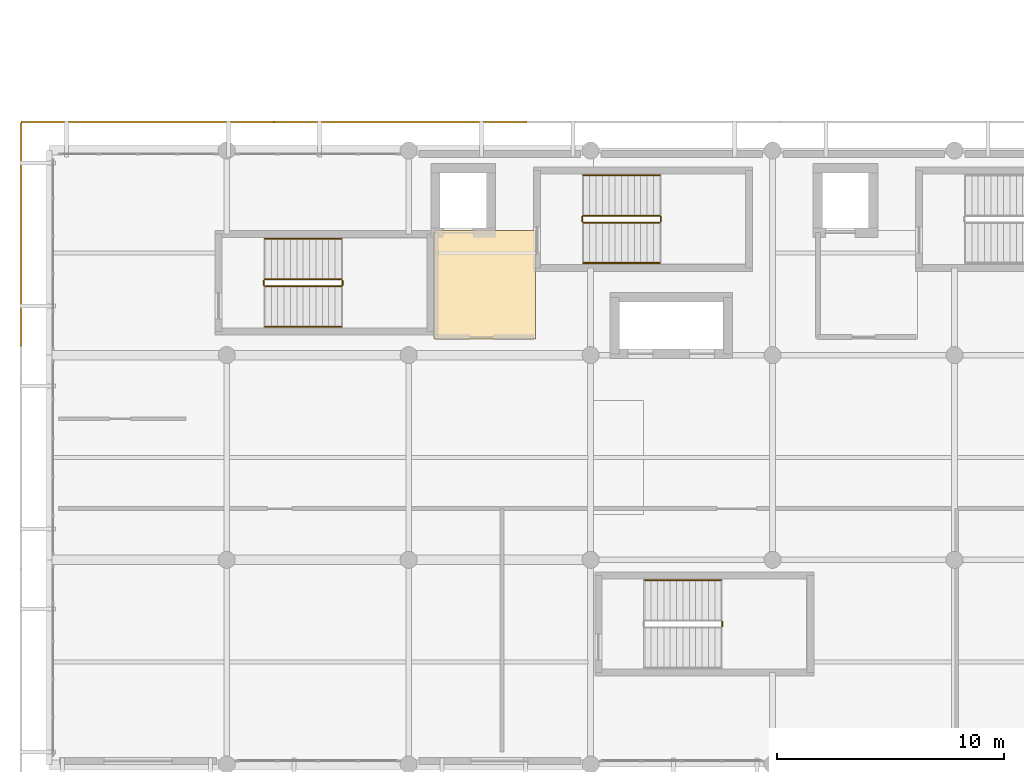
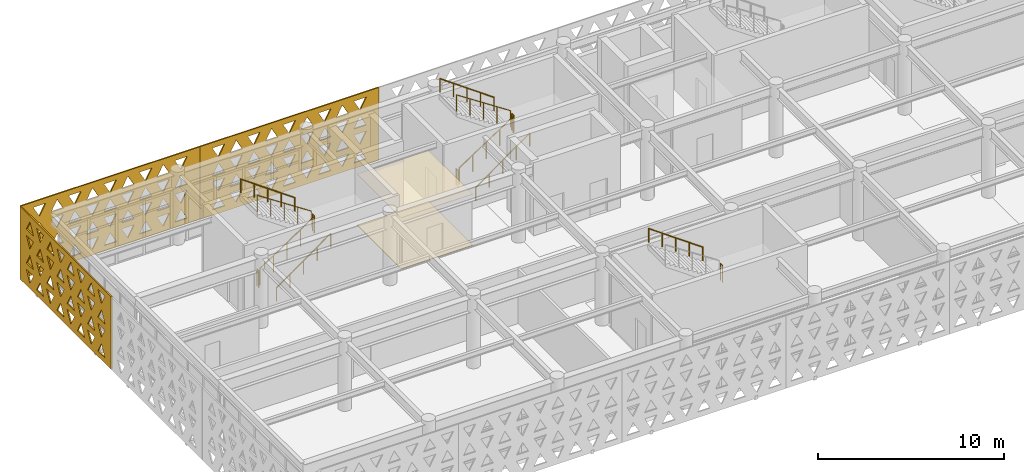
# One storey, part 27 of 33: 14 railings, 5 coverings.
"""IFC4 building model written with IfcOpenShell, lengths in metres."""

from ifc_helpers import new_model, si_unit, direction, frame, origin, origin_2d, place, context, subcontext, project, spatial, polyline, circle, outline, extrude, material, layer, layer_set, type_object, element, save


model = new_model("IFC4")

# Units and contexts
model_context = context("Model", 3, precision=1e-05, world=origin(), true_north=direction((0.0, 1.0)))
body_context = subcontext(model_context, "Body", "Model", "MODEL_VIEW")
ifc_project = project(units=[si_unit("LENGTHUNIT", "METRE"), si_unit("AREAUNIT", "SQUARE_METRE"), si_unit("VOLUMEUNIT", "CUBIC_METRE"), si_unit("PLANEANGLEUNIT", "RADIAN"), si_unit("MASSUNIT", "GRAM", prefix="KILO")], contexts=[model_context])

# Site, building, storey
site_placement = place(None, origin())
site = spatial("IfcSite", under=ifc_project, at=site_placement, CompositionType="ELEMENT")
building_placement = place(site_placement, origin())
building = spatial("IfcBuilding", under=site, at=building_placement, Name="Tlacozan Convention Centre", CompositionType="ELEMENT")
storey_placement = place(building_placement, frame((0.0, 0.0, 16.199951171875)))
storey = spatial("IfcBuildingStorey", under=building, at=storey_placement, Name="L03", CompositionType="ELEMENT", Elevation=16.199951171875)

# Coverings
ifc_material_1 = material(Name="Perforated Acoustic Mineral Fibre Ceiling")
ifc_layer_1 = layer(ifc_material_1, 0.02490234375)
ifc_layer_set_1 = layer_set([ifc_layer_1], Name="Perforated Acoustic Mineral Fibre Ceiling")
covering_type_1 = type_object("IfcCoveringType", Name="Acoustic Mineral Fibre Ceiling 25", PredefinedType="CEILING", material=ifc_layer_set_1)
covering_1_placement = place(storey_placement, frame((0.0, 0.0, 3.35009765625)))
element("IfcCovering", 1, at=covering_1_placement, inside=storey, type_object=covering_type_1, Name="L03 Acoustic Ceiling L03-FFL-1", PredefinedType="CEILING", context=body_context, shape_type="SweptSolid", body=[
    extrude(outline(polyline([(17.1201171875, 18.719970703125), (21.580078125, 18.719970703125), (21.580078125, 23.47998046875), (17.1201171875, 23.47998046875), (17.1201171875, 18.719970703125)])), origin(), (0.0, 0.0, 1.0), 0.02490234375),
])
ifc_material_2 = material(Name="Polished Basalt Terrazzo Flooring", Category="masonry")
ifc_layer_2 = layer(ifc_material_2, 0.02001953125)
ifc_layer_set_2 = layer_set([ifc_layer_2], Name="Polished Basalt Terrazzo Flooring")
covering_type_2 = type_object("IfcCoveringType", Name="Polished Basalt Terrazzo Flooring 20", PredefinedType="FLOORING", material=ifc_layer_set_2)
covering_2_placement = place(storey_placement, origin())
element("IfcCovering", 2, at=covering_2_placement, inside=storey, type_object=covering_type_2, Name="L03 Terrazzo Flooring L03-FFL-1", PredefinedType="FLOORING", context=body_context, shape_type="SweptSolid", body=[
    extrude(outline(polyline([(17.1201171875, 18.719970703125), (21.580078125, 18.719970703125), (21.580078125, 23.47998046875), (17.1201171875, 23.47998046875), (17.1201171875, 18.719970703125)])), origin(), (0.0, 0.0, 1.0), 0.02001953125),
])

# Railings
ifc_material_3 = material(Name="Architectural Painted Galvanised Steel Railing", Category="steel")
railing_type_1 = type_object("IfcRailingType", Name="Stair Wall Handrail 900", PredefinedType="HANDRAIL", material=ifc_material_3)
railing_1_placement = place(storey_placement, frame((23.679931640625, 22.050048828125, 0.1845703125)))
element("IfcRailing", 3, at=railing_1_placement, inside=storey, type_object=railing_type_1, Name="L03 ST-01 stair handrail 1", PredefinedType="HANDRAIL", context=body_context, shape_type="SweptSolid", body=[
    extrude(circle(Radius=0.02392578125, at=origin_2d()), frame((0.0, 0.0, 0.8759765625), z_axis=(0.813725481382, 0.0, 0.581249379312), x_axis=(0.0, 1.0, 0.0)), (0.0, 0.0, 1.0), 4.12939453125),
    extrude(circle(Radius=0.02099609375, at=origin_2d()), origin(), (0.0, 0.0, 1.0), 0.851806640625),
    extrude(circle(Radius=0.02099609375, at=origin_2d()), frame((0.840087890625, 0.0, 0.60009765625)), (0.0, 0.0, 1.0), 0.851806640625),
    extrude(circle(Radius=0.02099609375, at=origin_2d()), frame((1.68017578125, 0.0, 1.2001953125)), (0.0, 0.0, 1.0), 0.851806640625),
    extrude(circle(Radius=0.02099609375, at=origin_2d()), frame((2.52001953125, 0.0, 1.800048828125)), (0.0, 0.0, 1.0), 0.851806640625),
    extrude(circle(Radius=0.02099609375, at=origin_2d()), frame((3.360107421875, 0.0, 2.400146484375)), (0.0, 0.0, 1.0), 0.851806640625),
])
railing_2_placement = place(storey_placement, frame((27.0400390625, 25.909912109375, 2.584716796875)))
element("IfcRailing", 4, at=railing_2_placement, inside=storey, type_object=railing_type_1, Name="L03 ST-01 stair handrail 2", PredefinedType="HANDRAIL", context=body_context, shape_type="SweptSolid", body=[
    extrude(circle(Radius=0.02392578125, at=origin_2d()), frame((0.0, 0.0, 0.8759765625), z_axis=(-0.813753445783, 0.0, 0.581210228297), x_axis=(0.0, -1.0, 0.0)), (0.0, 0.0, 1.0), 4.129150390625),
    extrude(circle(Radius=0.02099609375, at=origin_2d()), origin(), (0.0, 0.0, 1.0), 0.851806640625),
    extrude(circle(Radius=0.02099609375, at=origin_2d()), frame((-0.840087890625, 0.0, 0.60009765625)), (0.0, 0.0, 1.0), 0.851806640625),
    extrude(circle(Radius=0.02099609375, at=origin_2d()), frame((-1.68017578125, 0.0, 1.199951171875)), (0.0, 0.0, 1.0), 0.851806640625),
    extrude(circle(Radius=0.02099609375, at=origin_2d()), frame((-2.52001953125, 0.0, 1.7998046875)), (0.0, 0.0, 1.0), 0.851806640625),
    extrude(circle(Radius=0.02099609375, at=origin_2d()), frame((-3.360107421875, 0.0, 2.39990234375)), (0.0, 0.0, 1.0), 0.851806640625),
])
railing_3_placement = place(storey_placement, frame((9.679931640625, 19.25, 0.1845703125)))
element("IfcRailing", 5, at=railing_3_placement, inside=storey, type_object=railing_type_1, Name="L03 ST-13 stair handrail 1", PredefinedType="HANDRAIL", context=body_context, shape_type="SweptSolid", body=[
    extrude(circle(Radius=0.02392578125, at=origin_2d()), frame((0.0, 0.0, 0.8759765625), z_axis=(0.813725481382, 0.0, 0.581249379312), x_axis=(0.0, 1.0, 0.0)), (0.0, 0.0, 1.0), 4.12939453125),
    extrude(circle(Radius=0.02099609375, at=origin_2d()), origin(), (0.0, 0.0, 1.0), 0.851806640625),
    extrude(circle(Radius=0.02099609375, at=origin_2d()), frame((0.840087890625, 0.0, 0.60009765625)), (0.0, 0.0, 1.0), 0.851806640625),
    extrude(circle(Radius=0.02099609375, at=origin_2d()), frame((1.68017578125, 0.0, 1.2001953125)), (0.0, 0.0, 1.0), 0.851806640625),
    extrude(circle(Radius=0.02099609375, at=origin_2d()), frame((2.52001953125, 0.0, 1.800048828125)), (0.0, 0.0, 1.0), 0.851806640625),
    extrude(circle(Radius=0.02099609375, at=origin_2d()), frame((3.360107421875, 0.0, 2.400146484375)), (0.0, 0.0, 1.0), 0.851806640625),
])
for number, where, name in (
    (6, (13.0400390625, 23.110107421875, 2.584716796875), "L03 ST-13 stair handrail 2"),
    (7, (29.739990234375, 8.110107421875, 2.584716796875), "L03 ST-16 stair handrail 2"),
):
    element("IfcRailing", number, at=place(storey_placement, frame(where)), inside=storey, type_object=railing_type_1, Name=name, PredefinedType="HANDRAIL", context=body_context, shape_type="SweptSolid", body=[
        extrude(circle(Radius=0.02392578125, at=origin_2d()), frame((0.0, 0.0, 0.8759765625), z_axis=(-0.813753445783, 0.0, 0.581210228297), x_axis=(0.0, -1.0, 0.0)), (0.0, 0.0, 1.0), 4.129150390625),
        extrude(circle(Radius=0.02099609375, at=origin_2d()), origin(), (0.0, 0.0, 1.0), 0.851806640625),
        extrude(circle(Radius=0.02099609375, at=origin_2d()), frame((-0.840087890625, 0.0, 0.60009765625)), (0.0, 0.0, 1.0), 0.851806640625),
        extrude(circle(Radius=0.02099609375, at=origin_2d()), frame((-1.68017578125, 0.0, 1.199951171875)), (0.0, 0.0, 1.0), 0.851806640625),
        extrude(circle(Radius=0.02099609375, at=origin_2d()), frame((-2.52001953125, 0.0, 1.7998046875)), (0.0, 0.0, 1.0), 0.851806640625),
        extrude(circle(Radius=0.02099609375, at=origin_2d()), frame((-3.360107421875, 0.0, 2.39990234375)), (0.0, 0.0, 1.0), 0.851806640625),
    ])
railing_type_2 = type_object("IfcRailingType", Name="Stair Well Guardrail 1100", PredefinedType="GUARDRAIL", material=ifc_material_3)
railing_4_placement = place(storey_placement, frame((23.679931640625, 23.830078125, 0.1845703125)))
element("IfcRailing", 8, at=railing_4_placement, inside=storey, type_object=railing_type_2, Name="L03 ST-01 stair guard 1", PredefinedType="GUARDRAIL", context=body_context, shape_type="SweptSolid", body=[
    extrude(circle(Radius=0.02392578125, at=origin_2d()), frame((0.0, 0.0, 1.076171875), z_axis=(0.834848600103, 0.0, 0.550479622607), x_axis=(0.0, 1.0, 0.0)), (0.0, 0.0, 1.0), 4.02490234375),
    extrude(circle(Radius=0.02099609375, at=origin_2d()), origin(), (0.0, 0.0, 1.0), 1.052001953125),
    extrude(circle(Radius=0.02099609375, at=origin_2d()), frame((0.840087890625, 0.0, 0.553955078125)), (0.0, 0.0, 1.0), 1.052001953125),
    extrude(circle(Radius=0.02099609375, at=origin_2d()), frame((1.68017578125, 0.0, 1.10791015625)), (0.0, 0.0, 1.0), 1.052001953125),
    extrude(circle(Radius=0.02099609375, at=origin_2d()), frame((2.52001953125, 0.0, 1.66162109375)), (0.0, 0.0, 1.0), 1.052001953125),
    extrude(circle(Radius=0.02099609375, at=origin_2d()), frame((3.360107421875, 0.0, 2.215576171875)), (0.0, 0.0, 1.0), 1.052001953125),
])
railing_5_placement = place(storey_placement, frame((27.090087890625, 23.8798828125, 2.400146484375)))
element("IfcRailing", 9, at=railing_5_placement, inside=storey, type_object=railing_type_2, Name="L03 ST-01 stair guard 2", PredefinedType="GUARDRAIL", context=body_context, shape_type="SweptSolid", body=[
    extrude(circle(Radius=0.02392578125, at=origin_2d()), frame((0.0, 0.0, 1.076171875), z_axis=(0.0, 1.0, 0.0), x_axis=(-1.0, 0.0, 0.0)), (0.0, 0.0, 1.0), 0.2001953125),
    extrude(circle(Radius=0.02099609375, at=origin_2d()), origin(), (0.0, 0.0, 1.0), 1.052001953125),
    extrude(circle(Radius=0.02099609375, at=origin_2d()), frame((0.0, 0.2001953125, 0.0)), (0.0, 0.0, 1.0), 1.052001953125),
])
railing_6_placement = place(storey_placement, frame((27.0400390625, 24.1298828125, 2.584716796875)))
element("IfcRailing", 10, at=railing_6_placement, inside=storey, type_object=railing_type_2, Name="L03 ST-01 stair guard 3", PredefinedType="GUARDRAIL", context=body_context, shape_type="SweptSolid", body=[
    extrude(circle(Radius=0.02392578125, at=origin_2d()), frame((0.0, 0.0, 1.076171875), z_axis=(-0.834876476806, 0.0, 0.550437342915), x_axis=(0.0, -1.0, 0.0)), (0.0, 0.0, 1.0), 4.024658203125),
    extrude(circle(Radius=0.02099609375, at=origin_2d()), origin(), (0.0, 0.0, 1.0), 1.052001953125),
    extrude(circle(Radius=0.02099609375, at=origin_2d()), frame((-0.840087890625, 0.0, 0.5537109375)), (0.0, 0.0, 1.0), 1.052001953125),
    extrude(circle(Radius=0.02099609375, at=origin_2d()), frame((-1.68017578125, 0.0, 1.107666015625)), (0.0, 0.0, 1.0), 1.052001953125),
    extrude(circle(Radius=0.02099609375, at=origin_2d()), frame((-2.52001953125, 0.0, 1.66162109375)), (0.0, 0.0, 1.0), 1.052001953125),
    extrude(circle(Radius=0.02099609375, at=origin_2d()), frame((-3.360107421875, 0.0, 2.21533203125)), (0.0, 0.0, 1.0), 1.052001953125),
])
railing_7_placement = place(storey_placement, frame((23.6298828125, 23.8798828125, 0.0)))
element("IfcRailing", 11, at=railing_7_placement, inside=storey, type_object=railing_type_2, Name="L03 ST-01 stair guard 4", PredefinedType="GUARDRAIL", context=body_context, shape_type="SweptSolid", body=[
    extrude(circle(Radius=0.02392578125, at=origin_2d()), frame((0.0, 0.0, 1.076171875), z_axis=(0.0, 1.0, 0.0), x_axis=(-1.0, 0.0, 0.0)), (0.0, 0.0, 1.0), 0.2001953125),
    extrude(circle(Radius=0.02099609375, at=origin_2d()), origin(), (0.0, 0.0, 1.0), 1.052001953125),
    extrude(circle(Radius=0.02099609375, at=origin_2d()), frame((0.0, 0.2001953125, 0.0)), (0.0, 0.0, 1.0), 1.052001953125),
])
railing_8_placement = place(storey_placement, frame((9.679931640625, 21.030029296875, 0.1845703125)))
element("IfcRailing", 12, at=railing_8_placement, inside=storey, type_object=railing_type_2, Name="L03 ST-13 stair guard 1", PredefinedType="GUARDRAIL", context=body_context, shape_type="SweptSolid", body=[
    extrude(circle(Radius=0.02392578125, at=origin_2d()), frame((0.0, 0.0, 1.076171875), z_axis=(0.834848600103, 0.0, 0.550479622607), x_axis=(0.0, 1.0, 0.0)), (0.0, 0.0, 1.0), 4.02490234375),
    extrude(circle(Radius=0.02099609375, at=origin_2d()), origin(), (0.0, 0.0, 1.0), 1.052001953125),
    extrude(circle(Radius=0.02099609375, at=origin_2d()), frame((0.840087890625, 0.0, 0.553955078125)), (0.0, 0.0, 1.0), 1.052001953125),
    extrude(circle(Radius=0.02099609375, at=origin_2d()), frame((1.68017578125, 0.0, 1.10791015625)), (0.0, 0.0, 1.0), 1.052001953125),
    extrude(circle(Radius=0.02099609375, at=origin_2d()), frame((2.52001953125, 0.0, 1.66162109375)), (0.0, 0.0, 1.0), 1.052001953125),
    extrude(circle(Radius=0.02099609375, at=origin_2d()), frame((3.360107421875, 0.0, 2.215576171875)), (0.0, 0.0, 1.0), 1.052001953125),
])
railing_9_placement = place(storey_placement, frame((13.090087890625, 21.080078125, 2.400146484375)))
element("IfcRailing", 13, at=railing_9_placement, inside=storey, type_object=railing_type_2, Name="L03 ST-13 stair guard 2", PredefinedType="GUARDRAIL", context=body_context, shape_type="SweptSolid", body=[
    extrude(circle(Radius=0.02392578125, at=origin_2d()), frame((0.0, 0.0, 1.076171875), z_axis=(0.0, 1.0, 0.0), x_axis=(-1.0, 0.0, 0.0)), (0.0, 0.0, 1.0), 0.199951171875),
    extrude(circle(Radius=0.02099609375, at=origin_2d()), origin(), (0.0, 0.0, 1.0), 1.052001953125),
    extrude(circle(Radius=0.02099609375, at=origin_2d()), frame((0.0, 0.199951171875, 0.0)), (0.0, 0.0, 1.0), 1.052001953125),
])
railing_10_placement = place(storey_placement, frame((13.0400390625, 21.330078125, 2.584716796875)))
element("IfcRailing", 14, at=railing_10_placement, inside=storey, type_object=railing_type_2, Name="L03 ST-13 stair guard 3", PredefinedType="GUARDRAIL", context=body_context, shape_type="SweptSolid", body=[
    extrude(circle(Radius=0.02392578125, at=origin_2d()), frame((0.0, 0.0, 1.076171875), z_axis=(-0.834876476806, 0.0, 0.550437342915), x_axis=(0.0, -1.0, 0.0)), (0.0, 0.0, 1.0), 4.024658203125),
    extrude(circle(Radius=0.02099609375, at=origin_2d()), origin(), (0.0, 0.0, 1.0), 1.052001953125),
    extrude(circle(Radius=0.02099609375, at=origin_2d()), frame((-0.840087890625, 0.0, 0.5537109375)), (0.0, 0.0, 1.0), 1.052001953125),
    extrude(circle(Radius=0.02099609375, at=origin_2d()), frame((-1.68017578125, 0.0, 1.107666015625)), (0.0, 0.0, 1.0), 1.052001953125),
    extrude(circle(Radius=0.02099609375, at=origin_2d()), frame((-2.52001953125, 0.0, 1.66162109375)), (0.0, 0.0, 1.0), 1.052001953125),
    extrude(circle(Radius=0.02099609375, at=origin_2d()), frame((-3.360107421875, 0.0, 2.21533203125)), (0.0, 0.0, 1.0), 1.052001953125),
])
for number, where, name in (
    (15, (9.6298828125, 21.080078125, 0.0), "L03 ST-13 stair guard 4"),
    (16, (29.7900390625, 6.080078125, 2.400146484375), "L03 ST-16 stair guard 2"),
):
    element("IfcRailing", number, at=place(storey_placement, frame(where)), inside=storey, type_object=railing_type_2, Name=name, PredefinedType="GUARDRAIL", context=body_context, shape_type="SweptSolid", body=[
        extrude(circle(Radius=0.02392578125, at=origin_2d()), frame((0.0, 0.0, 1.076171875), z_axis=(0.0, 1.0, 0.0), x_axis=(-1.0, 0.0, 0.0)), (0.0, 0.0, 1.0), 0.199951171875),
        extrude(circle(Radius=0.02099609375, at=origin_2d()), origin(), (0.0, 0.0, 1.0), 1.052001953125),
        extrude(circle(Radius=0.02099609375, at=origin_2d()), frame((0.0, 0.199951171875, 0.0)), (0.0, 0.0, 1.0), 1.052001953125),
    ])

# Coverings
ifc_material_4 = material(Name="Toluca Fired Terracotta Masonry Solar Screen", Category="masonry")
ifc_layer_3 = layer(ifc_material_4, 0.080078125)
ifc_layer_set_3 = layer_set([ifc_layer_3], Name="Toluca Fired Terracotta Masonry Solar Screen")
covering_type_3 = type_object("IfcCoveringType", Name="Terracotta Triangle Solar Screen 80", PredefinedType="USERDEFINED", material=ifc_layer_set_3)
covering_3_placement = place(storey_placement, frame((-1.050048828125, 18.404296875, -0.030029296875), z_axis=(0.0, 0.0, 1.0), x_axis=(0.0, 1.0, 0.0)))
element("IfcCovering", 17, at=covering_3_placement, inside=storey, type_object=covering_type_3, Name="L03 Terracotta Triangle Screen 65", ObjectType="SCREEN", PredefinedType="USERDEFINED", context=body_context, shape_type="SweptSolid", body=[
    extrude(outline(polyline([(0.0, 0.0), (9.80078125, 0.0), (9.80078125, 4.780029296875), (0.0, 4.780029296875), (0.0, 0.0)]), holes=[polyline([(0.664306640625, 0.360107421875), (1.4365234375, 0.360107421875), (1.05029296875, 1.074951171875), (0.664306640625, 0.360107421875)]), polyline([(1.764404296875, 1.074951171875), (2.536376953125, 1.074951171875), (2.150390625, 0.360107421875), (1.764404296875, 1.074951171875)]), polyline([(2.8642578125, 0.360107421875), (3.636474609375, 0.360107421875), (3.25048828125, 1.074951171875), (2.8642578125, 0.360107421875)]), polyline([(3.96435546875, 1.074951171875), (4.736328125, 1.074951171875), (4.350341796875, 0.360107421875), (3.96435546875, 1.074951171875)]), polyline([(5.064453125, 0.360107421875), (5.83642578125, 0.360107421875), (5.450439453125, 1.074951171875), (5.064453125, 0.360107421875)]), polyline([(6.164306640625, 1.074951171875), (6.9365234375, 1.074951171875), (6.55029296875, 0.360107421875), (6.164306640625, 1.074951171875)]), polyline([(7.264404296875, 0.360107421875), (8.036376953125, 0.360107421875), (7.650390625, 1.074951171875), (7.264404296875, 0.360107421875)]), polyline([(8.3642578125, 1.074951171875), (9.136474609375, 1.074951171875), (8.75048828125, 0.360107421875), (8.3642578125, 1.074951171875)]), polyline([(0.664306640625, 2.18994140625), (1.4365234375, 2.18994140625), (1.05029296875, 1.47509765625), (0.664306640625, 2.18994140625)]), polyline([(1.764404296875, 1.47509765625), (2.536376953125, 1.47509765625), (2.150390625, 2.18994140625), (1.764404296875, 1.47509765625)]), polyline([(2.8642578125, 2.18994140625), (3.636474609375, 2.18994140625), (3.25048828125, 1.47509765625), (2.8642578125, 2.18994140625)]), polyline([(3.96435546875, 1.47509765625), (4.736328125, 1.47509765625), (4.350341796875, 2.18994140625), (3.96435546875, 1.47509765625)]), polyline([(5.064453125, 2.18994140625), (5.83642578125, 2.18994140625), (5.450439453125, 1.47509765625), (5.064453125, 2.18994140625)]), polyline([(6.164306640625, 1.47509765625), (6.9365234375, 1.47509765625), (6.55029296875, 2.18994140625), (6.164306640625, 1.47509765625)]), polyline([(7.264404296875, 2.18994140625), (8.036376953125, 2.18994140625), (7.650390625, 1.47509765625), (7.264404296875, 2.18994140625)]), polyline([(8.3642578125, 1.47509765625), (9.136474609375, 1.47509765625), (8.75048828125, 2.18994140625), (8.3642578125, 1.47509765625)]), polyline([(0.664306640625, 2.590087890625), (1.4365234375, 2.590087890625), (1.05029296875, 3.304931640625), (0.664306640625, 2.590087890625)]), polyline([(1.764404296875, 3.304931640625), (2.536376953125, 3.304931640625), (2.150390625, 2.590087890625), (1.764404296875, 3.304931640625)]), polyline([(2.8642578125, 2.590087890625), (3.636474609375, 2.590087890625), (3.25048828125, 3.304931640625), (2.8642578125, 2.590087890625)]), polyline([(3.96435546875, 3.304931640625), (4.736328125, 3.304931640625), (4.350341796875, 2.590087890625), (3.96435546875, 3.304931640625)]), polyline([(5.064453125, 2.590087890625), (5.83642578125, 2.590087890625), (5.450439453125, 3.304931640625), (5.064453125, 2.590087890625)]), polyline([(6.164306640625, 3.304931640625), (6.9365234375, 3.304931640625), (6.55029296875, 2.590087890625), (6.164306640625, 3.304931640625)]), polyline([(7.264404296875, 2.590087890625), (8.036376953125, 2.590087890625), (7.650390625, 3.304931640625), (7.264404296875, 2.590087890625)]), polyline([(8.3642578125, 3.304931640625), (9.136474609375, 3.304931640625), (8.75048828125, 2.590087890625), (8.3642578125, 3.304931640625)]), polyline([(0.664306640625, 4.419921875), (1.4365234375, 4.419921875), (1.05029296875, 3.705078125), (0.664306640625, 4.419921875)]), polyline([(1.764404296875, 3.705078125), (2.536376953125, 3.705078125), (2.150390625, 4.419921875), (1.764404296875, 3.705078125)]), polyline([(2.8642578125, 4.419921875), (3.636474609375, 4.419921875), (3.25048828125, 3.705078125), (2.8642578125, 4.419921875)]), polyline([(3.96435546875, 3.705078125), (4.736328125, 3.705078125), (4.350341796875, 4.419921875), (3.96435546875, 3.705078125)]), polyline([(5.064453125, 4.419921875), (5.83642578125, 4.419921875), (5.450439453125, 3.705078125), (5.064453125, 4.419921875)]), polyline([(6.164306640625, 3.705078125), (6.9365234375, 3.705078125), (6.55029296875, 4.419921875), (6.164306640625, 3.705078125)]), polyline([(7.264404296875, 4.419921875), (8.036376953125, 4.419921875), (7.650390625, 3.705078125), (7.264404296875, 4.419921875)]), polyline([(8.3642578125, 3.705078125), (9.136474609375, 3.705078125), (8.75048828125, 4.419921875), (8.3642578125, 3.705078125)])]), frame((0.0, 0.0400390625, 0.0), z_axis=(0.0, -1.0, 0.0), x_axis=(1.0, 0.0, 0.0)), (0.0, 0.0, 1.0), 0.080078125),
])
covering_4_placement = place(storey_placement, frame((-1.048095703125, 28.25, -0.030029296875), z_axis=(0.0, 0.0, 1.0), x_axis=(1.0, 0.0, 0.0)))
element("IfcCovering", 18, at=covering_4_placement, inside=storey, type_object=covering_type_3, Name="L03 Terracotta Triangle Screen 69", ObjectType="SCREEN", PredefinedType="USERDEFINED", context=body_context, shape_type="SweptSolid", body=[
    extrude(outline(polyline([(0.0, 0.0), (11.127197265625, 0.0), (11.127197265625, 4.780029296875), (0.0, 4.780029296875), (0.0, 0.0)]), holes=[polyline([(0.777587890625, 0.360107421875), (1.549560546875, 0.360107421875), (1.16357421875, 1.074951171875), (0.777587890625, 0.360107421875)]), polyline([(1.877685546875, 1.074951171875), (2.649658203125, 1.074951171875), (2.263671875, 0.360107421875), (1.877685546875, 1.074951171875)]), polyline([(2.9775390625, 0.360107421875), (3.74951171875, 0.360107421875), (3.363525390625, 1.074951171875), (2.9775390625, 0.360107421875)]), polyline([(4.07763671875, 1.074951171875), (4.849609375, 1.074951171875), (4.463623046875, 0.360107421875), (4.07763671875, 1.074951171875)]), polyline([(5.177490234375, 0.360107421875), (5.94970703125, 0.360107421875), (5.5634765625, 1.074951171875), (5.177490234375, 0.360107421875)]), polyline([(6.277587890625, 1.074951171875), (7.049560546875, 1.074951171875), (6.66357421875, 0.360107421875), (6.277587890625, 1.074951171875)]), polyline([(7.377685546875, 0.360107421875), (8.149658203125, 0.360107421875), (7.763671875, 1.074951171875), (7.377685546875, 0.360107421875)]), polyline([(8.4775390625, 1.074951171875), (9.24951171875, 1.074951171875), (8.863525390625, 0.360107421875), (8.4775390625, 1.074951171875)]), polyline([(9.57763671875, 0.360107421875), (10.349609375, 0.360107421875), (9.963623046875, 1.074951171875), (9.57763671875, 0.360107421875)]), polyline([(0.777587890625, 2.18994140625), (1.549560546875, 2.18994140625), (1.16357421875, 1.47509765625), (0.777587890625, 2.18994140625)]), polyline([(1.877685546875, 1.47509765625), (2.649658203125, 1.47509765625), (2.263671875, 2.18994140625), (1.877685546875, 1.47509765625)]), polyline([(2.9775390625, 2.18994140625), (3.74951171875, 2.18994140625), (3.363525390625, 1.47509765625), (2.9775390625, 2.18994140625)]), polyline([(4.07763671875, 1.47509765625), (4.849609375, 1.47509765625), (4.463623046875, 2.18994140625), (4.07763671875, 1.47509765625)]), polyline([(5.177490234375, 2.18994140625), (5.94970703125, 2.18994140625), (5.5634765625, 1.47509765625), (5.177490234375, 2.18994140625)]), polyline([(6.277587890625, 1.47509765625), (7.049560546875, 1.47509765625), (6.66357421875, 2.18994140625), (6.277587890625, 1.47509765625)]), polyline([(7.377685546875, 2.18994140625), (8.149658203125, 2.18994140625), (7.763671875, 1.47509765625), (7.377685546875, 2.18994140625)]), polyline([(8.4775390625, 1.47509765625), (9.24951171875, 1.47509765625), (8.863525390625, 2.18994140625), (8.4775390625, 1.47509765625)]), polyline([(9.57763671875, 2.18994140625), (10.349609375, 2.18994140625), (9.963623046875, 1.47509765625), (9.57763671875, 2.18994140625)]), polyline([(0.777587890625, 2.590087890625), (1.549560546875, 2.590087890625), (1.16357421875, 3.304931640625), (0.777587890625, 2.590087890625)]), polyline([(1.877685546875, 3.304931640625), (2.649658203125, 3.304931640625), (2.263671875, 2.590087890625), (1.877685546875, 3.304931640625)]), polyline([(2.9775390625, 2.590087890625), (3.74951171875, 2.590087890625), (3.363525390625, 3.304931640625), (2.9775390625, 2.590087890625)]), polyline([(4.07763671875, 3.304931640625), (4.849609375, 3.304931640625), (4.463623046875, 2.590087890625), (4.07763671875, 3.304931640625)]), polyline([(5.177490234375, 2.590087890625), (5.94970703125, 2.590087890625), (5.5634765625, 3.304931640625), (5.177490234375, 2.590087890625)]), polyline([(6.277587890625, 3.304931640625), (7.049560546875, 3.304931640625), (6.66357421875, 2.590087890625), (6.277587890625, 3.304931640625)]), polyline([(7.377685546875, 2.590087890625), (8.149658203125, 2.590087890625), (7.763671875, 3.304931640625), (7.377685546875, 2.590087890625)]), polyline([(8.4775390625, 3.304931640625), (9.24951171875, 3.304931640625), (8.863525390625, 2.590087890625), (8.4775390625, 3.304931640625)]), polyline([(9.57763671875, 2.590087890625), (10.349609375, 2.590087890625), (9.963623046875, 3.304931640625), (9.57763671875, 2.590087890625)]), polyline([(0.777587890625, 4.419921875), (1.549560546875, 4.419921875), (1.16357421875, 3.705078125), (0.777587890625, 4.419921875)]), polyline([(1.877685546875, 3.705078125), (2.649658203125, 3.705078125), (2.263671875, 4.419921875), (1.877685546875, 3.705078125)]), polyline([(2.9775390625, 4.419921875), (3.74951171875, 4.419921875), (3.363525390625, 3.705078125), (2.9775390625, 4.419921875)]), polyline([(4.07763671875, 3.705078125), (4.849609375, 3.705078125), (4.463623046875, 4.419921875), (4.07763671875, 3.705078125)]), polyline([(5.177490234375, 4.419921875), (5.94970703125, 4.419921875), (5.5634765625, 3.705078125), (5.177490234375, 4.419921875)]), polyline([(6.277587890625, 3.705078125), (7.049560546875, 3.705078125), (6.66357421875, 4.419921875), (6.277587890625, 3.705078125)]), polyline([(7.377685546875, 4.419921875), (8.149658203125, 4.419921875), (7.763671875, 3.705078125), (7.377685546875, 4.419921875)]), polyline([(8.4775390625, 3.705078125), (9.24951171875, 3.705078125), (8.863525390625, 4.419921875), (8.4775390625, 3.705078125)]), polyline([(9.57763671875, 4.419921875), (10.349609375, 4.419921875), (9.963623046875, 3.705078125), (9.57763671875, 4.419921875)])]), frame((0.0, 0.0400390625, 0.0), z_axis=(0.0, -1.0, 0.0), x_axis=(1.0, 0.0, 0.0)), (0.0, 0.0, 1.0), 0.080078125),
])
covering_5_placement = place(storey_placement, frame((10.083251953125, 28.25, -0.030029296875), z_axis=(0.0, 0.0, 1.0), x_axis=(1.0, 0.0, 0.0)))
element("IfcCovering", 19, at=covering_5_placement, inside=storey, type_object=covering_type_3, Name="L03 Terracotta Triangle Screen 70", ObjectType="SCREEN", PredefinedType="USERDEFINED", context=body_context, shape_type="SweptSolid", body=[
    extrude(outline(polyline([(0.0, 0.0), (11.127197265625, 0.0), (11.127197265625, 4.780029296875), (0.0, 4.780029296875), (0.0, 0.0)]), holes=[polyline([(0.777587890625, 0.360107421875), (1.549560546875, 0.360107421875), (1.16357421875, 1.074951171875), (0.777587890625, 0.360107421875)]), polyline([(1.877685546875, 1.074951171875), (2.649658203125, 1.074951171875), (2.263671875, 0.360107421875), (1.877685546875, 1.074951171875)]), polyline([(2.9775390625, 0.360107421875), (3.74951171875, 0.360107421875), (3.363525390625, 1.074951171875), (2.9775390625, 0.360107421875)]), polyline([(4.07763671875, 1.074951171875), (4.849609375, 1.074951171875), (4.463623046875, 0.360107421875), (4.07763671875, 1.074951171875)]), polyline([(5.177490234375, 0.360107421875), (5.94970703125, 0.360107421875), (5.5634765625, 1.074951171875), (5.177490234375, 0.360107421875)]), polyline([(6.277587890625, 1.074951171875), (7.049560546875, 1.074951171875), (6.66357421875, 0.360107421875), (6.277587890625, 1.074951171875)]), polyline([(7.377685546875, 0.360107421875), (8.149658203125, 0.360107421875), (7.763671875, 1.074951171875), (7.377685546875, 0.360107421875)]), polyline([(8.4775390625, 1.074951171875), (9.24951171875, 1.074951171875), (8.863525390625, 0.360107421875), (8.4775390625, 1.074951171875)]), polyline([(9.57763671875, 0.360107421875), (10.349609375, 0.360107421875), (9.963623046875, 1.074951171875), (9.57763671875, 0.360107421875)]), polyline([(0.777587890625, 2.18994140625), (1.549560546875, 2.18994140625), (1.16357421875, 1.47509765625), (0.777587890625, 2.18994140625)]), polyline([(1.877685546875, 1.47509765625), (2.649658203125, 1.47509765625), (2.263671875, 2.18994140625), (1.877685546875, 1.47509765625)]), polyline([(2.9775390625, 2.18994140625), (3.74951171875, 2.18994140625), (3.363525390625, 1.47509765625), (2.9775390625, 2.18994140625)]), polyline([(4.07763671875, 1.47509765625), (4.849609375, 1.47509765625), (4.463623046875, 2.18994140625), (4.07763671875, 1.47509765625)]), polyline([(5.177490234375, 2.18994140625), (5.94970703125, 2.18994140625), (5.5634765625, 1.47509765625), (5.177490234375, 2.18994140625)]), polyline([(6.277587890625, 1.47509765625), (7.049560546875, 1.47509765625), (6.66357421875, 2.18994140625), (6.277587890625, 1.47509765625)]), polyline([(7.377685546875, 2.18994140625), (8.149658203125, 2.18994140625), (7.763671875, 1.47509765625), (7.377685546875, 2.18994140625)]), polyline([(8.4775390625, 1.47509765625), (9.24951171875, 1.47509765625), (8.863525390625, 2.18994140625), (8.4775390625, 1.47509765625)]), polyline([(9.57763671875, 2.18994140625), (10.349609375, 2.18994140625), (9.963623046875, 1.47509765625), (9.57763671875, 2.18994140625)]), polyline([(0.777587890625, 2.590087890625), (1.549560546875, 2.590087890625), (1.16357421875, 3.304931640625), (0.777587890625, 2.590087890625)]), polyline([(1.877685546875, 3.304931640625), (2.649658203125, 3.304931640625), (2.263671875, 2.590087890625), (1.877685546875, 3.304931640625)]), polyline([(2.9775390625, 2.590087890625), (3.74951171875, 2.590087890625), (3.363525390625, 3.304931640625), (2.9775390625, 2.590087890625)]), polyline([(4.07763671875, 3.304931640625), (4.849609375, 3.304931640625), (4.463623046875, 2.590087890625), (4.07763671875, 3.304931640625)]), polyline([(5.177490234375, 2.590087890625), (5.94970703125, 2.590087890625), (5.5634765625, 3.304931640625), (5.177490234375, 2.590087890625)]), polyline([(6.277587890625, 3.304931640625), (7.049560546875, 3.304931640625), (6.66357421875, 2.590087890625), (6.277587890625, 3.304931640625)]), polyline([(7.377685546875, 2.590087890625), (8.149658203125, 2.590087890625), (7.763671875, 3.304931640625), (7.377685546875, 2.590087890625)]), polyline([(8.4775390625, 3.304931640625), (9.24951171875, 3.304931640625), (8.863525390625, 2.590087890625), (8.4775390625, 3.304931640625)]), polyline([(9.57763671875, 2.590087890625), (10.349609375, 2.590087890625), (9.963623046875, 3.304931640625), (9.57763671875, 2.590087890625)]), polyline([(0.777587890625, 4.419921875), (1.549560546875, 4.419921875), (1.16357421875, 3.705078125), (0.777587890625, 4.419921875)]), polyline([(1.877685546875, 3.705078125), (2.649658203125, 3.705078125), (2.263671875, 4.419921875), (1.877685546875, 3.705078125)]), polyline([(2.9775390625, 4.419921875), (3.74951171875, 4.419921875), (3.363525390625, 3.705078125), (2.9775390625, 4.419921875)]), polyline([(4.07763671875, 3.705078125), (4.849609375, 3.705078125), (4.463623046875, 4.419921875), (4.07763671875, 3.705078125)]), polyline([(5.177490234375, 4.419921875), (5.94970703125, 4.419921875), (5.5634765625, 3.705078125), (5.177490234375, 4.419921875)]), polyline([(6.277587890625, 3.705078125), (7.049560546875, 3.705078125), (6.66357421875, 4.419921875), (6.277587890625, 3.705078125)]), polyline([(7.377685546875, 4.419921875), (8.149658203125, 4.419921875), (7.763671875, 3.705078125), (7.377685546875, 4.419921875)]), polyline([(8.4775390625, 3.705078125), (9.24951171875, 3.705078125), (8.863525390625, 4.419921875), (8.4775390625, 3.705078125)]), polyline([(9.57763671875, 4.419921875), (10.349609375, 4.419921875), (9.963623046875, 3.705078125), (9.57763671875, 4.419921875)])]), frame((0.0, 0.0400390625, 0.0), z_axis=(0.0, -1.0, 0.0), x_axis=(1.0, 0.0, 0.0)), (0.0, 0.0, 1.0), 0.080078125),
])

save(model, "model.ifc")
